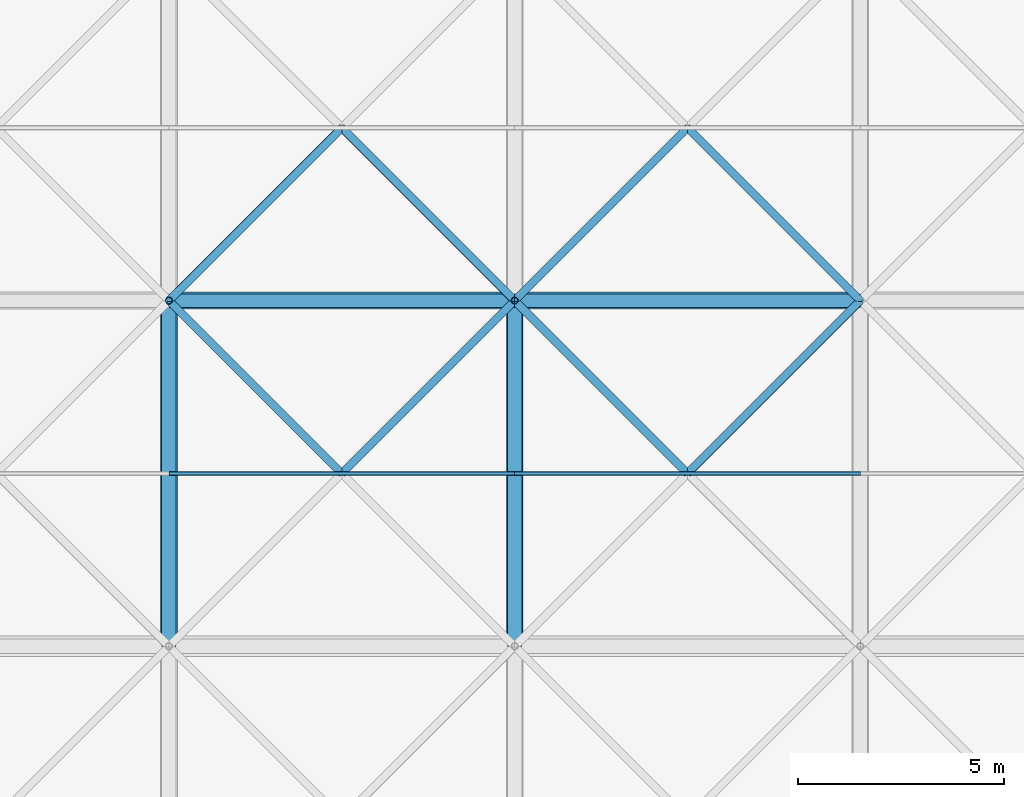
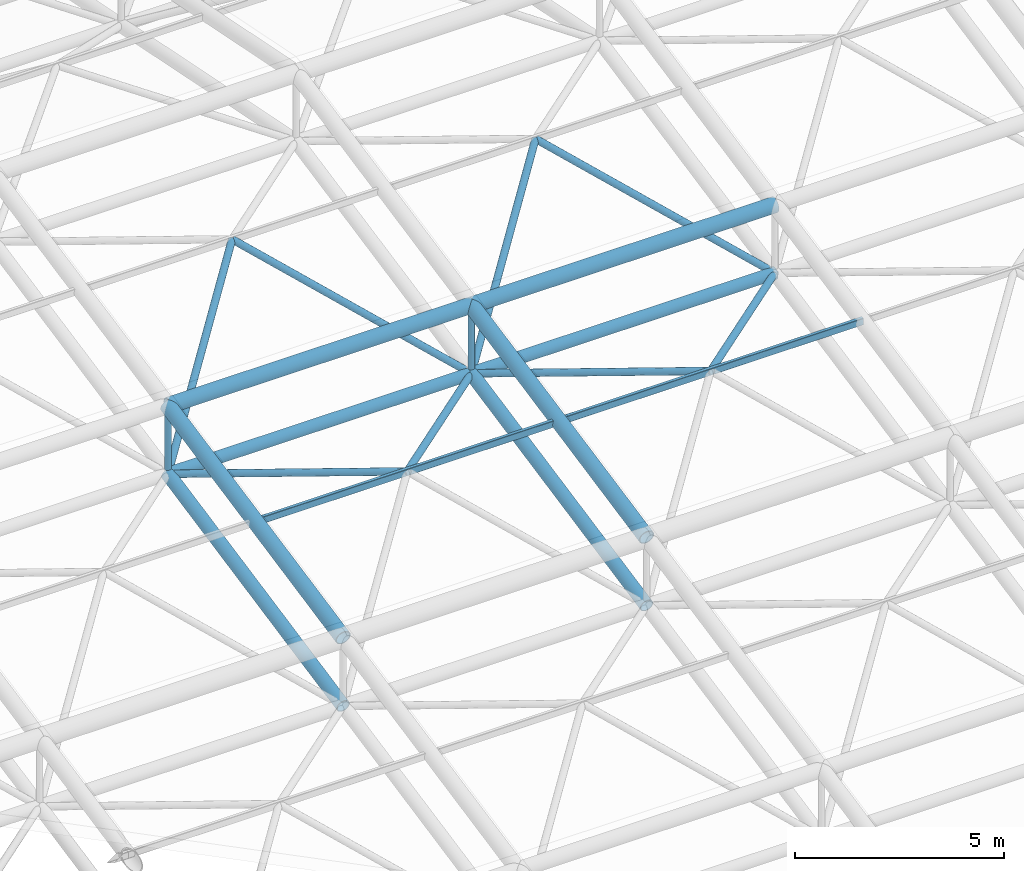
# One storey, part 44 of 110: 20 members.
"""IFC4 building model written with IfcOpenShell, lengths in metres."""

from ifc_helpers import new_model, si_unit, direction, frame, origin, origin_2d, place, context, subcontext, project, spatial, hollow_rectangle, hollow_circle, extrude, material, material_profile, profile_set, type_object, element, save


model = new_model("IFC4")

# Units and contexts
model_context = context("Model", 3, precision=1e-05, world=origin(), true_north=direction((0.0, 1.0)))
body_context = subcontext(model_context, "Body", "Model", "MODEL_VIEW")
ifc_project = project(units=[si_unit("LENGTHUNIT", "METRE"), si_unit("AREAUNIT", "SQUARE_METRE"), si_unit("VOLUMEUNIT", "CUBIC_METRE"), si_unit("PLANEANGLEUNIT", "RADIAN"), si_unit("MASSUNIT", "GRAM", prefix="KILO")], contexts=[model_context])

# Site, building, storey
site_placement = place(None, origin())
site = spatial("IfcSite", under=ifc_project, at=site_placement, CompositionType="ELEMENT")
building_placement = place(site_placement, origin())
building = spatial("IfcBuilding", under=site, at=building_placement, Name="Qawsi Khor Wholesale Market", CompositionType="ELEMENT")
storey_placement = place(building_placement, frame((0.0, 0.0, 11.39990234375)))
storey = spatial("IfcBuildingStorey", under=building, at=storey_placement, Name="L02", CompositionType="ELEMENT", Elevation=11.39990234375)

# Members
ifc_material = material(Name="Steel S355", Category="steel")
ifc_material_profile_1 = material_profile(ifc_material, hollow_circle(Radius=0.177734375, WallThickness=0.01611328125, at=origin_2d()), Name="CHS 355.6x16.0")
ifc_profile_set_1 = profile_set([ifc_material_profile_1], Name="Steel S355")
member_type_1 = type_object("IfcMemberType", Name="Space-Frame Bottom Chord CHS 355.6x16.0", PredefinedType="CHORD", material=ifc_profile_set_1)
for number, where, z_axis, x_axis, name in (
    (1, (176.39990234375, 58.800048828125, 3.3701171875), (0.0, 0.980129990483, 0.1983562496), (-1.0, 0.0, 0.0), "Space frame bottom chord Y EH (21,7)"),
    (2, (184.800048828125, 58.800048828125, 3.3701171875), (0.0, 0.980129990483, 0.1983562496), (-1.0, 0.0, 0.0), "Space frame bottom chord Y EH (22,7)"),
):
    element("IfcMember", number, at=place(storey_placement, frame(where, z_axis=z_axis, x_axis=x_axis)), inside=storey, type_object=member_type_1, Name=name, PredefinedType="CHORD", context=body_context, shape_type="SweptSolid", body=[
        extrude(hollow_circle(Radius=0.177734375, WallThickness=0.01611328125, at=origin_2d()), origin(), (0.0, 0.0, 1.0), 8.5703125),
    ])
ifc_material_profile_2 = material_profile(ifc_material, hollow_rectangle(XDim=0.10009765625, YDim=0.199951171875, WallThickness=0.008056640625, InnerFilletRadius=0.008056640625, OuterFilletRadius=0.01611328125, at=origin_2d()), Name="RHS 200x100x8.0")
ifc_profile_set_2 = profile_set([ifc_material_profile_2], Name="Steel S355")
member_type_2 = type_object("IfcMemberType", Name="Space-Frame Purlin RHS 200x100x8.0", PredefinedType="PURLIN", material=ifc_profile_set_2)
member_1_placement = place(storey_placement, frame((176.39990234375, 63.0, 6.22021484375), z_axis=(1.0, 0.0, 0.0), x_axis=(0.0, 1.0, 0.0)))
element("IfcMember", 3, at=member_1_placement, inside=storey, type_object=member_type_2, Name="Space frame purlin EH (21,7)", PredefinedType="PURLIN", context=body_context, shape_type="SweptSolid", body=[
    extrude(hollow_rectangle(XDim=0.10009765625, YDim=0.199951171875, WallThickness=0.008056640625, InnerFilletRadius=0.008056640625, OuterFilletRadius=0.01611328125, at=origin_2d()), origin(), (0.0, 0.0, 1.0), 8.400146484375),
])
member_2_placement = place(storey_placement, frame((184.800048828125, 63.0, 6.22021484375), z_axis=(1.0, 0.0, 0.0), x_axis=(0.0, 1.0, 0.0)))
element("IfcMember", 4, at=member_2_placement, inside=storey, type_object=member_type_2, Name="Space frame purlin EH (22,7)", PredefinedType="PURLIN", context=body_context, shape_type="SweptSolid", body=[
    extrude(hollow_rectangle(XDim=0.10009765625, YDim=0.199951171875, WallThickness=0.008056640625, InnerFilletRadius=0.008056640625, OuterFilletRadius=0.01611328125, at=origin_2d()), origin(), (0.0, 0.0, 1.0), 8.39990234375),
])
ifc_material_profile_3 = material_profile(ifc_material, hollow_circle(Radius=0.161865234375, WallThickness=0.01611328125, at=origin_2d()), Name="CHS 323.9x16.0")
ifc_profile_set_3 = profile_set([ifc_material_profile_3], Name="Steel S355")
member_type_3 = type_object("IfcMemberType", Name="Space-Frame Secondary Chord CHS 323.9x16.0", PredefinedType="CHORD", material=ifc_profile_set_3)
member_3_placement = place(storey_placement, frame((176.39990234375, 67.199951171875, 5.070068359375), z_axis=(1.0, 0.0, 0.0), x_axis=(0.0, 1.0, 0.0)))
element("IfcMember", 5, at=member_3_placement, inside=storey, type_object=member_type_3, Name="Space frame bottom chord X EH (21,8)", PredefinedType="CHORD", context=body_context, shape_type="SweptSolid", body=[
    extrude(hollow_circle(Radius=0.161865234375, WallThickness=0.01611328125, at=origin_2d()), origin(), (0.0, 0.0, 1.0), 8.400146484375),
])
member_4_placement = place(storey_placement, frame((184.800048828125, 67.199951171875, 5.070068359375), z_axis=(1.0, 0.0, 0.0), x_axis=(0.0, 1.0, 0.0)))
element("IfcMember", 6, at=member_4_placement, inside=storey, type_object=member_type_3, Name="Space frame bottom chord X EH (22,8)", PredefinedType="CHORD", context=body_context, shape_type="SweptSolid", body=[
    extrude(hollow_circle(Radius=0.161865234375, WallThickness=0.01611328125, at=origin_2d()), origin(), (0.0, 0.0, 1.0), 8.39990234375),
])
ifc_material_profile_4 = material_profile(ifc_material, hollow_circle(Radius=0.096923828125, WallThickness=0.008056640625, at=origin_2d()), Name="CHS 193.7x8.0")
ifc_profile_set_4 = profile_set([ifc_material_profile_4], Name="Steel S355")
member_type_4 = type_object("IfcMemberType", Name="Space-Frame Secondary Diagonal CHS 193.7x8.0", PredefinedType="RAFTER", material=ifc_profile_set_4)
for number, where, z_axis, x_axis, name in (
    (7, (184.800048828125, 67.199951171875, 5.070068359375), (-0.694211389158, -0.694211389158, 0.190108112208), (0.707106781187, -0.707106781187, 0.0), "Space frame diagonal EH (21,7)-3"),
    (8, (176.39990234375, 67.199951171875, 5.070068359375), (0.694232294544, -0.694191941586, 0.190102786538), (0.70708622964, 0.707127332136, 0.0), "Space frame diagonal EH (21,7)-4"),
):
    element("IfcMember", number, at=place(storey_placement, frame(where, z_axis=z_axis, x_axis=x_axis)), inside=storey, type_object=member_type_4, Name=name, PredefinedType="RAFTER", context=body_context, shape_type="SweptSolid", body=[
        extrude(hollow_circle(Radius=0.096923828125, WallThickness=0.008056640625, at=origin_2d()), origin(), (0.0, 0.0, 1.0), 6.050048828125),
    ])
for number, where, z_axis, x_axis, name in (
    (9, (176.39990234375, 67.199951171875, 5.070068359375), (0.637533737254, 0.637496679957, 0.432606884951), (-0.70708622964, 0.707127332136, 0.0), "Space frame diagonal EH (21,8)-1"),
    (10, (184.800048828125, 67.199951171875, 5.070068359375), (-0.637511741089, 0.637511741089, 0.432617105474), (-0.707106781187, -0.707106781187, 0.0), "Space frame diagonal EH (21,8)-2"),
):
    element("IfcMember", number, at=place(storey_placement, frame(where, z_axis=z_axis, x_axis=x_axis)), inside=storey, type_object=member_type_4, Name=name, PredefinedType="RAFTER", context=body_context, shape_type="SweptSolid", body=[
        extrude(hollow_circle(Radius=0.096923828125, WallThickness=0.008056640625, at=origin_2d()), origin(), (0.0, 0.0, 1.0), 6.588134765625),
    ])
for number, where, z_axis, x_axis, name in (
    (11, (193.199951171875, 67.199951171875, 5.070068359375), (-0.694211389158, -0.694211389158, 0.190108112208), (0.707106781187, -0.707106781187, 0.0), "Space frame diagonal EH (22,7)-3"),
    (12, (184.800048828125, 67.199951171875, 5.070068359375), (0.694211389158, -0.694211389158, 0.190108112208), (0.707106781187, 0.707106781187, 0.0), "Space frame diagonal EH (22,7)-4"),
):
    element("IfcMember", number, at=place(storey_placement, frame(where, z_axis=z_axis, x_axis=x_axis)), inside=storey, type_object=member_type_4, Name=name, PredefinedType="RAFTER", context=body_context, shape_type="SweptSolid", body=[
        extrude(hollow_circle(Radius=0.096923828125, WallThickness=0.008056640625, at=origin_2d()), origin(), (0.0, 0.0, 1.0), 6.050048828125),
    ])
for number, where, z_axis, x_axis, name in (
    (13, (184.800048828125, 67.199951171875, 5.070068359375), (0.637511741089, 0.637511741089, 0.432617105474), (-0.707106781187, 0.707106781187, 0.0), "Space frame diagonal EH (22,8)-1"),
    (14, (193.199951171875, 67.199951171875, 5.070068359375), (-0.637511741089, 0.637511741089, 0.432617105474), (-0.707106781187, -0.707106781187, 0.0), "Space frame diagonal EH (22,8)-2"),
):
    element("IfcMember", number, at=place(storey_placement, frame(where, z_axis=z_axis, x_axis=x_axis)), inside=storey, type_object=member_type_4, Name=name, PredefinedType="RAFTER", context=body_context, shape_type="SweptSolid", body=[
        extrude(hollow_circle(Radius=0.096923828125, WallThickness=0.008056640625, at=origin_2d()), origin(), (0.0, 0.0, 1.0), 6.588134765625),
    ])
ifc_material_profile_5 = material_profile(ifc_material, hollow_circle(Radius=0.203125, WallThickness=0.02001953125, at=origin_2d()), Name="CHS 406.4x20.0")
ifc_profile_set_5 = profile_set([ifc_material_profile_5], Name="Steel S355")
member_type_5 = type_object("IfcMemberType", Name="Space-Frame Top Chord CHS 406.4x20.0", PredefinedType="CHORD", material=ifc_profile_set_5)
member_5_placement = place(storey_placement, frame((176.39990234375, 58.800048828125, 5.3701171875), z_axis=(0.0, 0.980129990483, 0.1983562496), x_axis=(-1.0, 0.0, 0.0)))
element("IfcMember", 15, at=member_5_placement, inside=storey, type_object=member_type_5, Name="Space frame top chord Y EH (21,7)", PredefinedType="CHORD", context=body_context, shape_type="SweptSolid", body=[
    extrude(hollow_circle(Radius=0.203125, WallThickness=0.02001953125, at=origin_2d()), origin(), (0.0, 0.0, 1.0), 8.5703125),
])
member_6_placement = place(storey_placement, frame((176.39990234375, 67.199951171875, 7.070068359375), z_axis=(1.0, 0.0, 0.0), x_axis=(0.0, 1.0, 0.0)))
element("IfcMember", 16, at=member_6_placement, inside=storey, type_object=member_type_5, Name="Space frame top chord X EH (21,8)", PredefinedType="CHORD", context=body_context, shape_type="SweptSolid", body=[
    extrude(hollow_circle(Radius=0.203125, WallThickness=0.02001953125, at=origin_2d()), origin(), (0.0, 0.0, 1.0), 8.400146484375),
])
member_7_placement = place(storey_placement, frame((184.800048828125, 58.800048828125, 5.3701171875), z_axis=(0.0, 0.980129990483, 0.1983562496), x_axis=(-1.0, 0.0, 0.0)))
element("IfcMember", 17, at=member_7_placement, inside=storey, type_object=member_type_5, Name="Space frame top chord Y EH (22,7)", PredefinedType="CHORD", context=body_context, shape_type="SweptSolid", body=[
    extrude(hollow_circle(Radius=0.203125, WallThickness=0.02001953125, at=origin_2d()), origin(), (0.0, 0.0, 1.0), 8.5703125),
])
member_8_placement = place(storey_placement, frame((184.800048828125, 67.199951171875, 7.070068359375), z_axis=(1.0, 0.0, 0.0), x_axis=(0.0, 1.0, 0.0)))
element("IfcMember", 18, at=member_8_placement, inside=storey, type_object=member_type_5, Name="Space frame top chord X EH (22,8)", PredefinedType="CHORD", context=body_context, shape_type="SweptSolid", body=[
    extrude(hollow_circle(Radius=0.203125, WallThickness=0.02001953125, at=origin_2d()), origin(), (0.0, 0.0, 1.0), 8.39990234375),
])
ifc_material_profile_6 = material_profile(ifc_material, hollow_circle(Radius=0.084228515625, WallThickness=0.008056640625, at=origin_2d()), Name="CHS 168.3x8.0")
ifc_profile_set_6 = profile_set([ifc_material_profile_6], Name="Steel S355")
member_type_6 = type_object("IfcMemberType", Name="Space-Frame Vertical Strut CHS 168.3x8.0", PredefinedType="STRUT", material=ifc_profile_set_6)
for number, where, z_axis, x_axis, name in (
    (19, (176.39990234375, 67.199951171875, 5.070068359375), (0.0, 0.0, 1.0), (1.0, 0.0, 0.0), "Space frame post EH (21,8)"),
    (20, (184.800048828125, 67.199951171875, 5.070068359375), (0.0, 0.0, 1.0), (1.0, 0.0, 0.0), "Space frame post EH (22,8)"),
):
    element("IfcMember", number, at=place(storey_placement, frame(where, z_axis=z_axis, x_axis=x_axis)), inside=storey, type_object=member_type_6, Name=name, PredefinedType="STRUT", context=body_context, shape_type="SweptSolid", body=[
        extrude(hollow_circle(Radius=0.084228515625, WallThickness=0.008056640625, at=origin_2d()), origin(), (0.0, 0.0, 1.0), 2.0),
    ])

save(model, "model.ifc")
